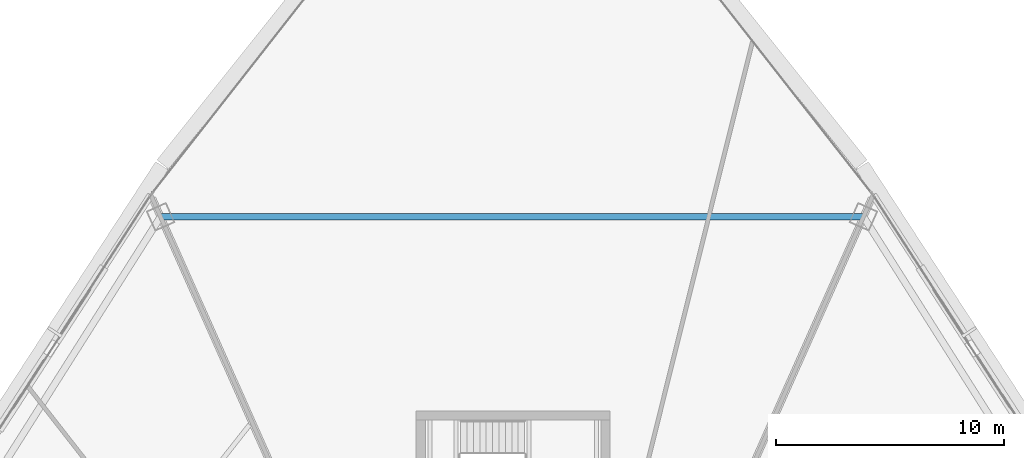
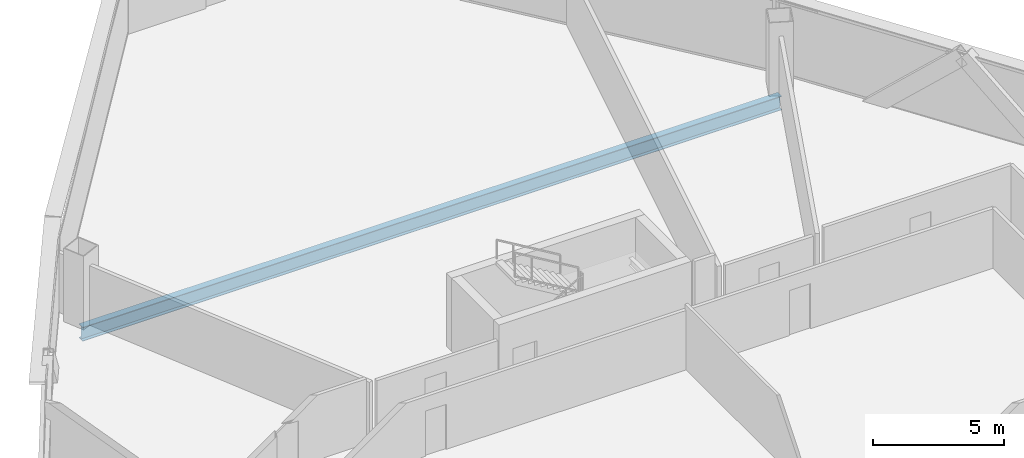
# One storey, part 21 of 39: 1 beam.
"""IFC4 building model written with IfcOpenShell, lengths in metres."""

from ifc_helpers import new_model, si_unit, direction, frame, origin, origin_2d, place, context, subcontext, project, spatial, i_section, extrude, source, transform, mapped, material, material_profile, profile_set, type_object, element, save


model = new_model("IFC4")

# Units and contexts
model_context = context("Model", 3, precision=1e-05, world=origin(), true_north=direction((0.0, 1.0)))
body_context = subcontext(model_context, "Body", "Model", "MODEL_VIEW")
ifc_project = project(units=[si_unit("LENGTHUNIT", "METRE"), si_unit("AREAUNIT", "SQUARE_METRE"), si_unit("VOLUMEUNIT", "CUBIC_METRE"), si_unit("PLANEANGLEUNIT", "RADIAN"), si_unit("MASSUNIT", "GRAM", prefix="KILO"), si_unit("THERMODYNAMICTEMPERATUREUNIT", "KELVIN"), si_unit("POWERUNIT", "WATT")], contexts=[model_context])

# Site, building, storey
site_placement = place(None, origin())
site = spatial("IfcSite", under=ifc_project, at=site_placement, CompositionType="ELEMENT")
building_placement = place(site_placement, origin())
building = spatial("IfcBuilding", under=site, at=building_placement, Name="Yunzhuo Pagoda Commons", CompositionType="ELEMENT")
storey_placement = place(building_placement, frame((0.0, 0.0, 162.949951171875)))
storey = spatial("IfcBuildingStorey", under=building, at=storey_placement, Name="L41", CompositionType="ELEMENT", Elevation=162.949951171875)

# Beam
ifc_material = material(Name="Structural steel Q355B", Category="steel")
ifc_material_profile = material_profile(ifc_material, i_section(OverallWidth=0.300048828125, OverallDepth=0.64990234375, WebThickness=0.012939453125, FlangeThickness=0.02197265625, at=origin_2d()), Name="Structural steel Q355B")
ifc_profile_set = profile_set([ifc_material_profile], Name="Structural steel Q355B")
beam_type = type_object("IfcBeamType", Name="B-RG2 Beam HN 650x300x13x22", PredefinedType="BEAM", material=ifc_profile_set)
shared_shape = source(origin(), body_context, "Body", "SweptSolid", [
    extrude(i_section(OverallWidth=0.300048828125, OverallDepth=0.64990234375, WebThickness=0.012939453125, FlangeThickness=0.02197265625, at=origin_2d()), origin(), (0.0, 0.0, 1.0), 30.81201171875),
])
beam_placement = place(storey_placement, frame((63.406005859375, 68.302734375, -0.5849609375), z_axis=(-1.0, 0.0, 0.0), x_axis=(0.0, -1.0, 0.0)))
element("IfcBeam", 1, at=beam_placement, inside=storey, type_object=beam_type, Name="L41 column-ring beam 8", PredefinedType="BEAM", context=body_context, shape_type="MappedRepresentation", body=[
    mapped(shared_shape, transform((0.0, 0.0, 0.0), scale=1.0)),
])

save(model, "model.ifc")
